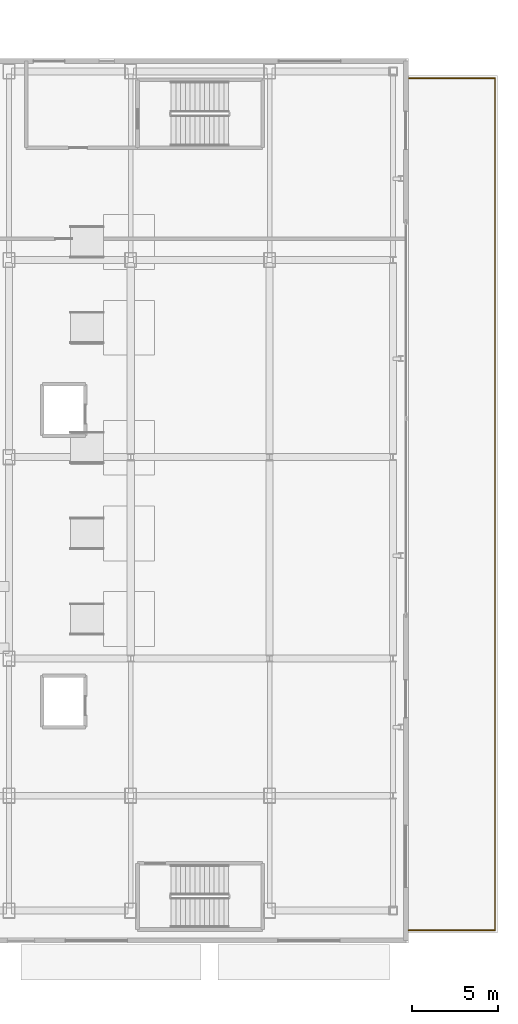
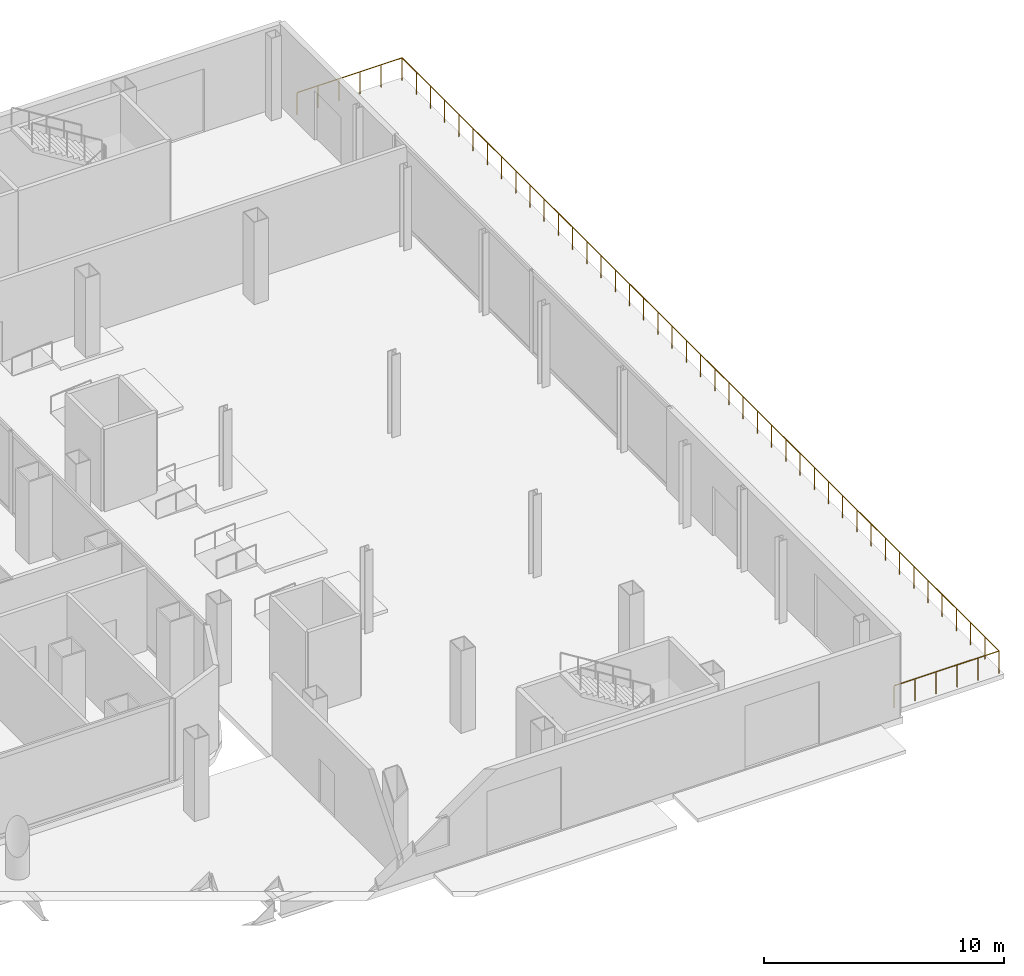
# One storey, part 30 of 31: 1 railing.
"""IFC4 building model written with IfcOpenShell, lengths in metres."""

from ifc_helpers import new_model, si_unit, direction, frame, origin, origin_2d, place, context, subcontext, project, spatial, circle, extrude, material, type_object, element, save


model = new_model("IFC4")

# Units and contexts
model_context = context("Model", 3, precision=1e-05, world=origin(), true_north=direction((0.0, 1.0)))
body_context = subcontext(model_context, "Body", "Model", "MODEL_VIEW")
ifc_project = project(units=[si_unit("LENGTHUNIT", "METRE"), si_unit("AREAUNIT", "SQUARE_METRE"), si_unit("VOLUMEUNIT", "CUBIC_METRE"), si_unit("PLANEANGLEUNIT", "RADIAN"), si_unit("MASSUNIT", "GRAM", prefix="KILO")], contexts=[model_context])

# Site, building, storey
site_placement = place(None, origin())
site = spatial("IfcSite", under=ifc_project, at=site_placement, CompositionType="ELEMENT")
building_placement = place(site_placement, origin())
building = spatial("IfcBuilding", under=site, at=building_placement, Name="Kolveth Station Tower", CompositionType="ELEMENT")
storey_placement = place(building_placement, origin())
storey = spatial("IfcBuildingStorey", under=building, at=storey_placement, Name="L00", CompositionType="ELEMENT", Elevation=0.0)

# Railing
ifc_material = material(Name="Painted Steel S355 balustrade", Category="steel")
railing_type = type_object("IfcRailingType", Name="Guard_GR2", PredefinedType="BALUSTRADE", material=ifc_material)
railing_placement = place(storey_placement, frame((71.610107421875, -10.35009765625, 0.0)))
element("IfcRailing", 1, at=railing_placement, inside=storey, type_object=railing_type, Name="L00 East Boulevard Forecourt Guard", PredefinedType="BALUSTRADE", context=body_context, shape_type="SweptSolid", body=[
    extrude(circle(Radius=0.02392578125, at=origin_2d()), frame((0.0, 0.0, 1.1259765625), z_axis=(1.0, 0.0, 0.0), x_axis=(0.0, 1.0, 0.0)), (0.0, 0.0, 1.0), 5.039794921875),
    extrude(circle(Radius=0.02392578125, at=origin_2d()), frame((5.039794921875, 0.0, 1.1259765625), z_axis=(0.0, 1.0, 0.0), x_axis=(-1.0, 0.0, 0.0)), (0.0, 0.0, 1.0), 49.7001953125),
    extrude(circle(Radius=0.02392578125, at=origin_2d()), frame((5.039794921875, 49.7001953125, 1.1259765625), z_axis=(-1.0, 0.0, 0.0), x_axis=(0.0, -1.0, 0.0)), (0.0, 0.0, 1.0), 5.039794921875),
    extrude(circle(Radius=0.02099609375, at=origin_2d()), origin(), (0.0, 0.0, 1.0), 1.101806640625),
    extrude(circle(Radius=0.02099609375, at=origin_2d()), frame((1.008056640625, 0.0, 0.0)), (0.0, 0.0, 1.0), 1.101806640625),
    extrude(circle(Radius=0.02099609375, at=origin_2d()), frame((2.015869140625, 0.0, 0.0)), (0.0, 0.0, 1.0), 1.101806640625),
    extrude(circle(Radius=0.02099609375, at=origin_2d()), frame((3.02392578125, 0.0, 0.0)), (0.0, 0.0, 1.0), 1.101806640625),
    extrude(circle(Radius=0.02099609375, at=origin_2d()), frame((4.03173828125, 0.0, 0.0)), (0.0, 0.0, 1.0), 1.101806640625),
    extrude(circle(Radius=0.02099609375, at=origin_2d()), frame((5.039794921875, 0.0, 0.0)), (0.0, 0.0, 1.0), 1.101806640625),
    extrude(circle(Radius=0.02099609375, at=origin_2d()), frame((5.039794921875, 1.183349609375, 0.0)), (0.0, 0.0, 1.0), 1.101806640625),
    extrude(circle(Radius=0.02099609375, at=origin_2d()), frame((5.039794921875, 2.36669921875, 0.0)), (0.0, 0.0, 1.0), 1.101806640625),
    extrude(circle(Radius=0.02099609375, at=origin_2d()), frame((5.039794921875, 3.550048828125, 0.0)), (0.0, 0.0, 1.0), 1.101806640625),
    extrude(circle(Radius=0.02099609375, at=origin_2d()), frame((5.039794921875, 4.7333984375, 0.0)), (0.0, 0.0, 1.0), 1.101806640625),
    extrude(circle(Radius=0.02099609375, at=origin_2d()), frame((5.039794921875, 5.916748046875, 0.0)), (0.0, 0.0, 1.0), 1.101806640625),
    extrude(circle(Radius=0.02099609375, at=origin_2d()), frame((5.039794921875, 7.10009765625, 0.0)), (0.0, 0.0, 1.0), 1.101806640625),
    extrude(circle(Radius=0.02099609375, at=origin_2d()), frame((5.039794921875, 8.283447265625, 0.0)), (0.0, 0.0, 1.0), 1.101806640625),
    extrude(circle(Radius=0.02099609375, at=origin_2d()), frame((5.039794921875, 9.466796875, 0.0)), (0.0, 0.0, 1.0), 1.101806640625),
    extrude(circle(Radius=0.02099609375, at=origin_2d()), frame((5.039794921875, 10.650146484375, 0.0)), (0.0, 0.0, 1.0), 1.101806640625),
    extrude(circle(Radius=0.02099609375, at=origin_2d()), frame((5.039794921875, 11.83349609375, 0.0)), (0.0, 0.0, 1.0), 1.101806640625),
    extrude(circle(Radius=0.02099609375, at=origin_2d()), frame((5.039794921875, 13.0166015625, 0.0)), (0.0, 0.0, 1.0), 1.101806640625),
    extrude(circle(Radius=0.02099609375, at=origin_2d()), frame((5.039794921875, 14.199951171875, 0.0)), (0.0, 0.0, 1.0), 1.101806640625),
    extrude(circle(Radius=0.02099609375, at=origin_2d()), frame((5.039794921875, 15.38330078125, 0.0)), (0.0, 0.0, 1.0), 1.101806640625),
    extrude(circle(Radius=0.02099609375, at=origin_2d()), frame((5.039794921875, 16.566650390625, 0.0)), (0.0, 0.0, 1.0), 1.101806640625),
    extrude(circle(Radius=0.02099609375, at=origin_2d()), frame((5.039794921875, 17.75, 0.0)), (0.0, 0.0, 1.0), 1.101806640625),
    extrude(circle(Radius=0.02099609375, at=origin_2d()), frame((5.039794921875, 18.933349609375, 0.0)), (0.0, 0.0, 1.0), 1.101806640625),
    extrude(circle(Radius=0.02099609375, at=origin_2d()), frame((5.039794921875, 20.11669921875, 0.0)), (0.0, 0.0, 1.0), 1.101806640625),
    extrude(circle(Radius=0.02099609375, at=origin_2d()), frame((5.039794921875, 21.300048828125, 0.0)), (0.0, 0.0, 1.0), 1.101806640625),
    extrude(circle(Radius=0.02099609375, at=origin_2d()), frame((5.039794921875, 22.4833984375, 0.0)), (0.0, 0.0, 1.0), 1.101806640625),
    extrude(circle(Radius=0.02099609375, at=origin_2d()), frame((5.039794921875, 23.666748046875, 0.0)), (0.0, 0.0, 1.0), 1.101806640625),
    extrude(circle(Radius=0.02099609375, at=origin_2d()), frame((5.039794921875, 24.85009765625, 0.0)), (0.0, 0.0, 1.0), 1.101806640625),
    extrude(circle(Radius=0.02099609375, at=origin_2d()), frame((5.039794921875, 26.033447265625, 0.0)), (0.0, 0.0, 1.0), 1.101806640625),
    extrude(circle(Radius=0.02099609375, at=origin_2d()), frame((5.039794921875, 27.216796875, 0.0)), (0.0, 0.0, 1.0), 1.101806640625),
    extrude(circle(Radius=0.02099609375, at=origin_2d()), frame((5.039794921875, 28.400146484375, 0.0)), (0.0, 0.0, 1.0), 1.101806640625),
    extrude(circle(Radius=0.02099609375, at=origin_2d()), frame((5.039794921875, 29.58349609375, 0.0)), (0.0, 0.0, 1.0), 1.101806640625),
    extrude(circle(Radius=0.02099609375, at=origin_2d()), frame((5.039794921875, 30.766845703125, 0.0)), (0.0, 0.0, 1.0), 1.101806640625),
    extrude(circle(Radius=0.02099609375, at=origin_2d()), frame((5.039794921875, 31.9501953125, 0.0)), (0.0, 0.0, 1.0), 1.101806640625),
    extrude(circle(Radius=0.02099609375, at=origin_2d()), frame((5.039794921875, 33.133544921875, 0.0)), (0.0, 0.0, 1.0), 1.101806640625),
    extrude(circle(Radius=0.02099609375, at=origin_2d()), frame((5.039794921875, 34.31689453125, 0.0)), (0.0, 0.0, 1.0), 1.101806640625),
    extrude(circle(Radius=0.02099609375, at=origin_2d()), frame((5.039794921875, 35.500244140625, 0.0)), (0.0, 0.0, 1.0), 1.101806640625),
    extrude(circle(Radius=0.02099609375, at=origin_2d()), frame((5.039794921875, 36.68359375, 0.0)), (0.0, 0.0, 1.0), 1.101806640625),
    extrude(circle(Radius=0.02099609375, at=origin_2d()), frame((5.039794921875, 37.86669921875, 0.0)), (0.0, 0.0, 1.0), 1.101806640625),
    extrude(circle(Radius=0.02099609375, at=origin_2d()), frame((5.039794921875, 39.050048828125, 0.0)), (0.0, 0.0, 1.0), 1.101806640625),
    extrude(circle(Radius=0.02099609375, at=origin_2d()), frame((5.039794921875, 40.2333984375, 0.0)), (0.0, 0.0, 1.0), 1.101806640625),
    extrude(circle(Radius=0.02099609375, at=origin_2d()), frame((5.039794921875, 41.416748046875, 0.0)), (0.0, 0.0, 1.0), 1.101806640625),
    extrude(circle(Radius=0.02099609375, at=origin_2d()), frame((5.039794921875, 42.60009765625, 0.0)), (0.0, 0.0, 1.0), 1.101806640625),
    extrude(circle(Radius=0.02099609375, at=origin_2d()), frame((5.039794921875, 43.783447265625, 0.0)), (0.0, 0.0, 1.0), 1.101806640625),
    extrude(circle(Radius=0.02099609375, at=origin_2d()), frame((5.039794921875, 44.966796875, 0.0)), (0.0, 0.0, 1.0), 1.101806640625),
    extrude(circle(Radius=0.02099609375, at=origin_2d()), frame((5.039794921875, 46.150146484375, 0.0)), (0.0, 0.0, 1.0), 1.101806640625),
    extrude(circle(Radius=0.02099609375, at=origin_2d()), frame((5.039794921875, 47.33349609375, 0.0)), (0.0, 0.0, 1.0), 1.101806640625),
    extrude(circle(Radius=0.02099609375, at=origin_2d()), frame((5.039794921875, 48.516845703125, 0.0)), (0.0, 0.0, 1.0), 1.101806640625),
    extrude(circle(Radius=0.02099609375, at=origin_2d()), frame((5.039794921875, 49.7001953125, 0.0)), (0.0, 0.0, 1.0), 1.101806640625),
    extrude(circle(Radius=0.02099609375, at=origin_2d()), frame((4.03173828125, 49.7001953125, 0.0)), (0.0, 0.0, 1.0), 1.101806640625),
    extrude(circle(Radius=0.02099609375, at=origin_2d()), frame((3.02392578125, 49.7001953125, 0.0)), (0.0, 0.0, 1.0), 1.101806640625),
    extrude(circle(Radius=0.02099609375, at=origin_2d()), frame((2.015869140625, 49.7001953125, 0.0)), (0.0, 0.0, 1.0), 1.101806640625),
    extrude(circle(Radius=0.02099609375, at=origin_2d()), frame((1.008056640625, 49.7001953125, 0.0)), (0.0, 0.0, 1.0), 1.101806640625),
    extrude(circle(Radius=0.02099609375, at=origin_2d()), frame((0.0, 49.7001953125, 0.0)), (0.0, 0.0, 1.0), 1.101806640625),
])

save(model, "model.ifc")
